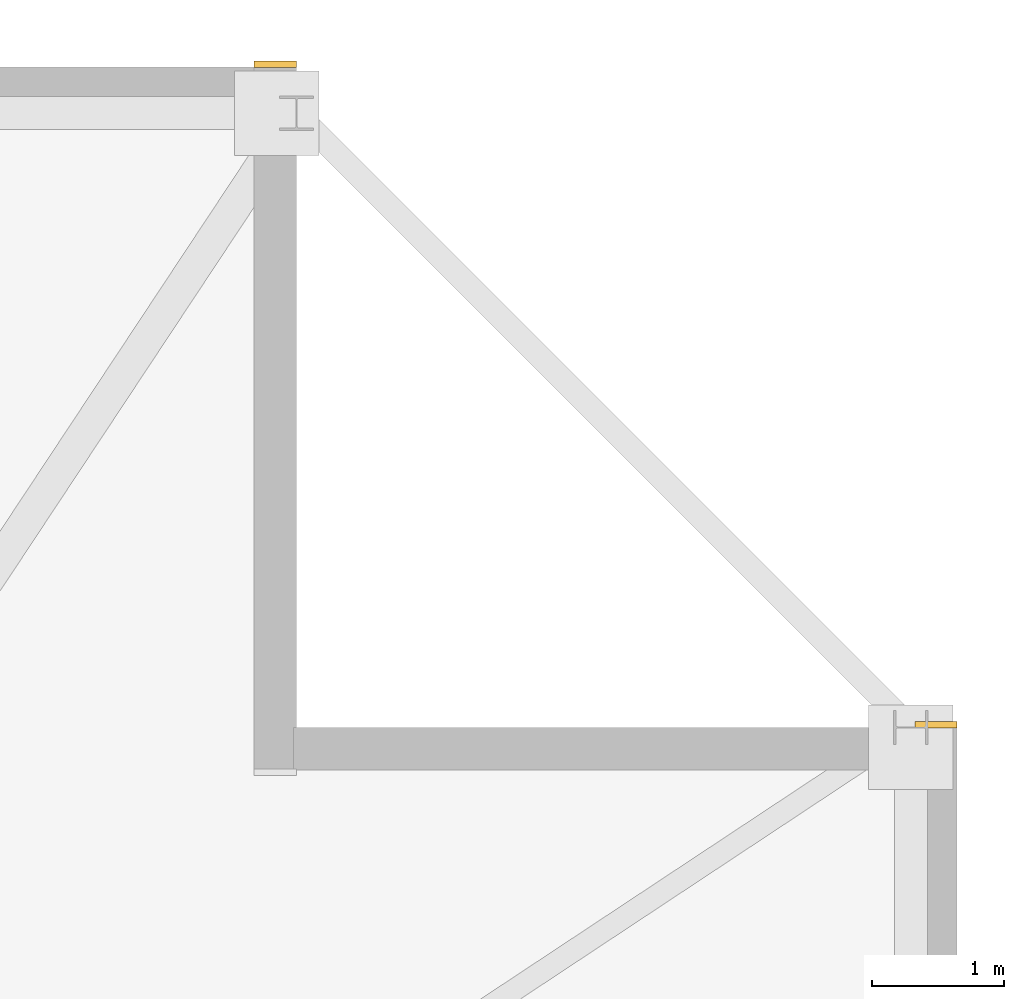
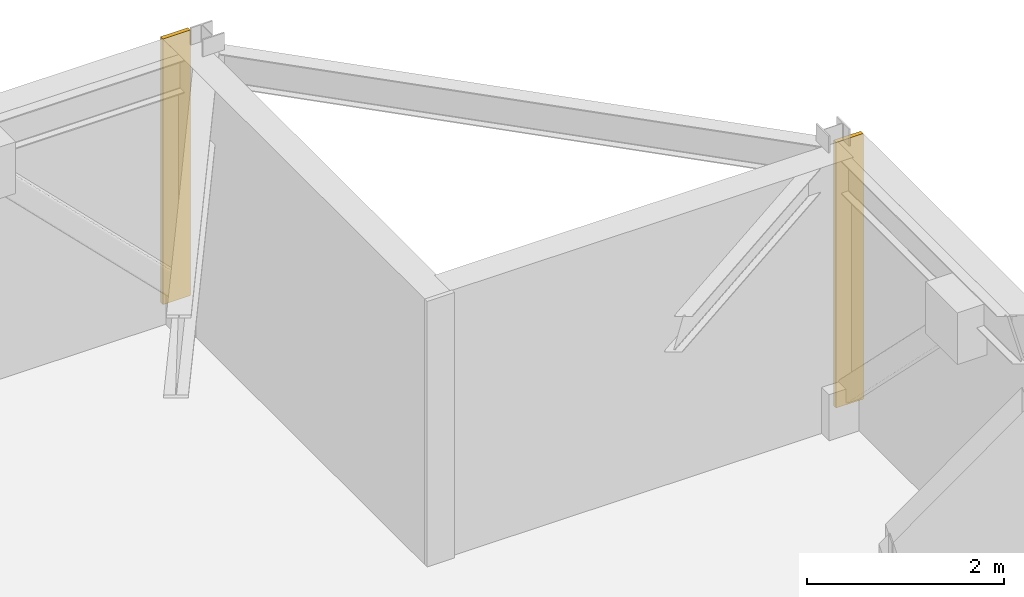
# One storey, part 17 of 17: 2 coverings.
"""IFC4 building model written with IfcOpenShell, lengths in metres."""

from ifc_helpers import new_model, si_unit, direction, frame, frame_2d, origin, place, context, subcontext, project, spatial, rectangle, extrude, material, layer, layer_set, type_object, element, save


model = new_model("IFC4")

# Units and contexts
model_context = context("Model", 3, precision=1e-05, world=origin(), true_north=direction((0.0, 1.0)))
body_context = subcontext(model_context, "Body", "Model", "MODEL_VIEW")
ifc_project = project(units=[si_unit("LENGTHUNIT", "METRE"), si_unit("AREAUNIT", "SQUARE_METRE"), si_unit("VOLUMEUNIT", "CUBIC_METRE"), si_unit("PLANEANGLEUNIT", "RADIAN"), si_unit("MASSUNIT", "GRAM", prefix="KILO")], contexts=[model_context])

# Site, building, storey
site_placement = place(None, origin())
site = spatial("IfcSite", under=ifc_project, at=site_placement, CompositionType="ELEMENT")
building_placement = place(site_placement, origin())
building = spatial("IfcBuilding", under=site, at=building_placement, Name="Cairnveth Concourse Tower", CompositionType="ELEMENT")
storey_placement = place(building_placement, frame((0.0, 0.0, 262.0)))
storey = spatial("IfcBuildingStorey", under=building, at=storey_placement, Name="L72", CompositionType="ELEMENT", Elevation=262.0)

# Coverings
ifc_material = material(Name="Dressed Melbourne Bluestone Cladding", Category="masonry")
ifc_layer = layer(ifc_material, 0.050048828125)
ifc_layer_set = layer_set([ifc_layer], Name="Dressed Melbourne Bluestone Cladding")
covering_type = type_object("IfcCoveringType", Name="DRESSED BLUESTONE PLINTH CLADDING 50", PredefinedType="CLADDING", material=ifc_layer_set)
for number, where, z_axis, x_axis, name in (
    (1, (69.179931640625, 61.52001953125, 0.0), (0.0, 0.0, 1.0), (1.0, 0.0, 0.0), "Melbourne Bluestone Corner Quoin L72-1094"),
    (2, (74.179931640625, 56.52001953125, 0.0), (0.0, 0.0, 1.0), (1.0, 0.0, 0.0), "Melbourne Bluestone Corner Quoin L72-1096"),
):
    element("IfcCovering", number, at=place(storey_placement, frame(where, z_axis=z_axis, x_axis=x_axis)), inside=storey, type_object=covering_type, Name=name, PredefinedType="CLADDING", context=body_context, shape_type="SweptSolid", body=[
        extrude(rectangle(XDim=0.320068359375, YDim=0.050048828125, at=frame_2d((0.16015625, 0.0))), origin(), (0.0, 0.0, 1.0), 3.2900390625),
    ])

save(model, "model.ifc")
